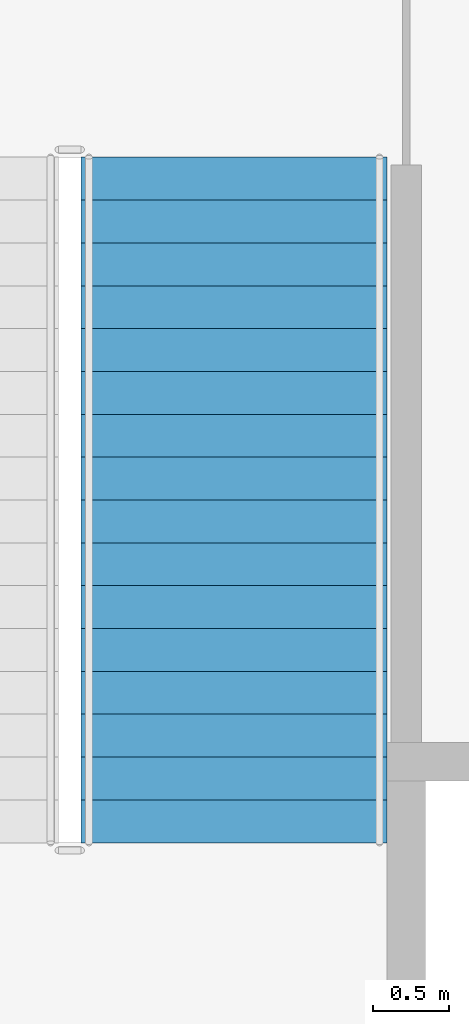
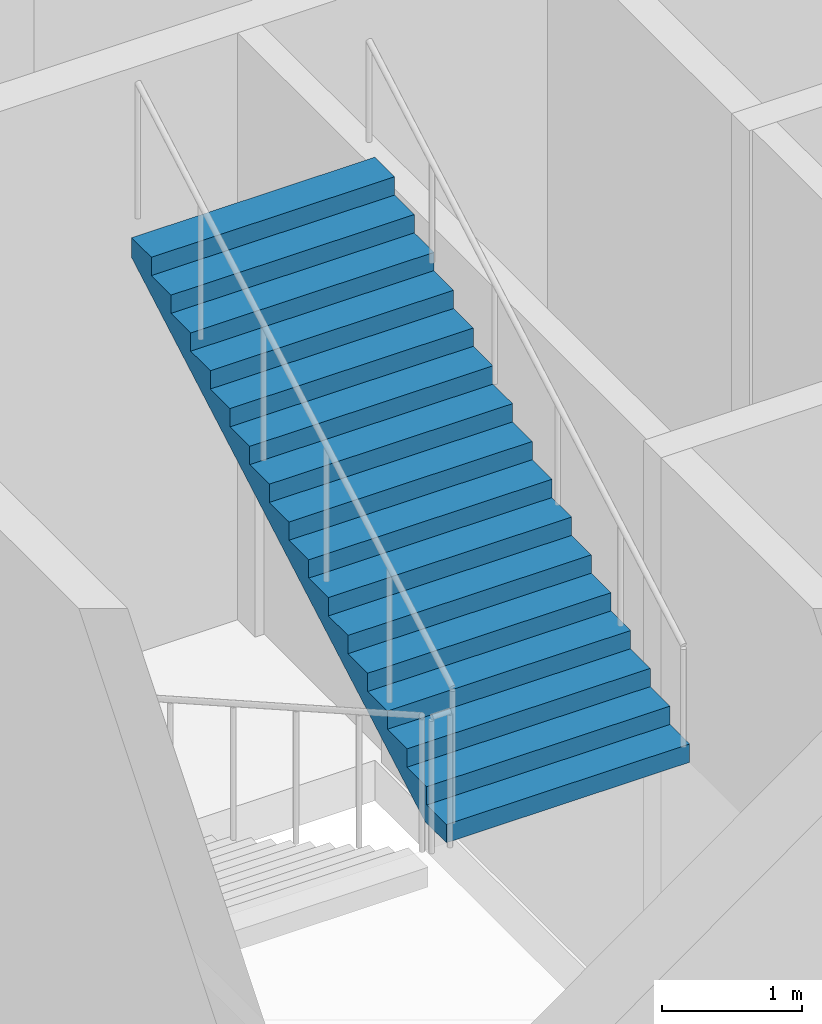
# One storey, part 15 of 18: 1 stair flight, 1 element without a shape of its own.
"""IFC4 building model written with IfcOpenShell, lengths in metres."""

from ifc_helpers import new_model, si_unit, direction, frame, origin, place, context, subcontext, project, spatial, polygons, material, type_object, element, aggregate, save


model = new_model("IFC4")

# Units and contexts
model_context = context("Model", 3, precision=1e-05, world=origin(), true_north=direction((0.0, 1.0)))
body_context = subcontext(model_context, "Body", "Model", "MODEL_VIEW")
ifc_project = project(units=[si_unit("LENGTHUNIT", "METRE"), si_unit("AREAUNIT", "SQUARE_METRE"), si_unit("VOLUMEUNIT", "CUBIC_METRE"), si_unit("PLANEANGLEUNIT", "RADIAN"), si_unit("MASSUNIT", "GRAM", prefix="KILO")], contexts=[model_context])

# Site, building, storey
site_placement = place(None, origin())
site = spatial("IfcSite", under=ifc_project, at=site_placement, CompositionType="ELEMENT")
building_placement = place(site_placement, origin())
building = spatial("IfcBuilding", under=site, at=building_placement, Name="Caravel Reach Hotel and Residences", CompositionType="ELEMENT")
storey_placement = place(building_placement, frame((0.0, 0.0, 145.199951171875)))
storey = spatial("IfcBuildingStorey", under=building, at=storey_placement, Name="L36", CompositionType="ELEMENT", Elevation=145.199951171875)

# Stair, stair flight
ifc_material_1 = material(Name="Concrete C40", Category="concrete")
stair_type = type_object("IfcStairType", Name="Core stair", PredefinedType="HALF_TURN_STAIR", material=ifc_material_1)
stair_placement = place(storey_placement, origin())
stair = element("IfcStair", 1, at=stair_placement, inside=storey, type_object=stair_type, Name="L36 Exit stair A", PredefinedType="HALF_TURN_STAIR")
ifc_material_2 = material(Name="Concrete C40", Category="concrete")
stair_flight_type = type_object("IfcStairFlightType", Name="Core stair flight", PredefinedType="STRAIGHT", material=ifc_material_2)
stair_flight_placement = place(storey_placement, frame((21.375, 24.8701171875, 2.699951171875), z_axis=(0.0, 0.0, 1.0), x_axis=(0.0, 1.0, 0.0)))
stair_flight = element("IfcStairFlight", 2, at=stair_flight_placement, type_object=stair_flight_type, Name="ST-A flight 2", NumberOfRisers=17, NumberOfTreads=16, PredefinedType="STRAIGHT", RiserHeight=0.158823529, TreadLength=0.28, context=body_context, shape_type="Tessellation", body=[
    polygons([(0.30382651472380307, 1.0, 0.0), (0.30382651472380307, 0.6666666666666667, 0.0), (0.30382651472380307, 0.33333333333333337, 0.0), (0.30382651472380307, 0.0, 0.0), (0.30382651472380307, -0.33333333333333326, 0.0), (0.30382651472380307, -0.6666666666666667, 0.0), (0.30382651472380307, -1.0, 0.0), (4.481000000000001, 1.0, 2.3688378951706968), (4.481000000000001, 0.6666666666666667, 2.3688378951706968), (4.481000000000001, 0.33333333333333337, 2.3688378951706968), (4.481000000000001, 0.0, 2.3688378951706968), (4.481000000000001, -0.33333333333333326, 2.3688378951706968), (4.481000000000001, -0.6666666666666667, 2.3688378951706968), (4.481000000000001, -1.0, 2.3688378951706968), (4.481000000000001, 1.0, 2.541176464), (4.481000000000001, 0.6666666666666667, 2.541176464), (4.481000000000001, 0.33333333333333337, 2.541176464), (4.481000000000001, 0.0, 2.541176464), (4.481000000000001, -0.33333333333333326, 2.541176464), (4.481000000000001, -0.6666666666666667, 2.541176464), (4.481000000000001, -1.0, 2.541176464), (4.2, 1.0, 2.541176464), (4.2, 0.6666666666666667, 2.541176464), (4.2, 0.33333333333333337, 2.541176464), (4.2, 0.0, 2.541176464), (4.2, -0.33333333333333326, 2.541176464), (4.2, -0.6666666666666667, 2.541176464), (4.2, -1.0, 2.541176464), (4.2, 1.0, 2.3823529349999997), (4.2, 0.6666666666666667, 2.3823529349999997), (4.2, 0.33333333333333337, 2.3823529349999997), (4.2, 0.0, 2.3823529349999997), (4.2, -0.33333333333333326, 2.3823529349999997), (4.2, -0.6666666666666667, 2.3823529349999997), (4.2, -1.0, 2.3823529349999997), (3.9200000000000004, 1.0, 2.3823529349999997), (3.9200000000000004, 0.6666666666666667, 2.3823529349999997), (3.9200000000000004, 0.33333333333333337, 2.3823529349999997), (3.9200000000000004, 0.0, 2.3823529349999997), (3.9200000000000004, -0.33333333333333326, 2.3823529349999997), (3.9200000000000004, -0.6666666666666667, 2.3823529349999997), (3.9200000000000004, -1.0, 2.3823529349999997), (3.9200000000000004, 1.0, 2.223529406), (3.9200000000000004, 0.6666666666666667, 2.223529406), (3.9200000000000004, 0.33333333333333337, 2.223529406), (3.9200000000000004, 0.0, 2.223529406), (3.9200000000000004, -0.33333333333333326, 2.223529406), (3.9200000000000004, -0.6666666666666667, 2.223529406), (3.9200000000000004, -1.0, 2.223529406), (3.6400000000000006, 1.0, 2.223529406), (3.6400000000000006, 0.6666666666666667, 2.223529406), (3.6400000000000006, 0.33333333333333337, 2.223529406), (3.6400000000000006, 0.0, 2.223529406), (3.6400000000000006, -0.33333333333333326, 2.223529406), (3.6400000000000006, -0.6666666666666667, 2.223529406), (3.6400000000000006, -1.0, 2.223529406), (3.6400000000000006, 1.0, 2.0647058769999997), (3.6400000000000006, 0.6666666666666667, 2.0647058769999997), (3.6400000000000006, 0.33333333333333337, 2.0647058769999997), (3.6400000000000006, 0.0, 2.0647058769999997), (3.6400000000000006, -0.33333333333333326, 2.0647058769999997), (3.6400000000000006, -0.6666666666666667, 2.0647058769999997), (3.6400000000000006, -1.0, 2.0647058769999997), (3.3600000000000003, 1.0, 2.0647058769999997), (3.3600000000000003, 0.6666666666666667, 2.0647058769999997), (3.3600000000000003, 0.33333333333333337, 2.0647058769999997), (3.3600000000000003, 0.0, 2.0647058769999997), (3.3600000000000003, -0.33333333333333326, 2.0647058769999997), (3.3600000000000003, -0.6666666666666667, 2.0647058769999997), (3.3600000000000003, -1.0, 2.0647058769999997), (3.3600000000000003, 1.0, 1.905882348), (3.3600000000000003, 0.6666666666666667, 1.905882348), (3.3600000000000003, 0.33333333333333337, 1.905882348), (3.3600000000000003, 0.0, 1.905882348), (3.3600000000000003, -0.33333333333333326, 1.905882348), (3.3600000000000003, -0.6666666666666667, 1.905882348), (3.3600000000000003, -1.0, 1.905882348), (3.08, 1.0, 1.905882348), (3.08, 0.6666666666666667, 1.905882348), (3.08, 0.33333333333333337, 1.905882348), (3.08, 0.0, 1.905882348), (3.08, -0.33333333333333326, 1.905882348), (3.08, -0.6666666666666667, 1.905882348), (3.08, -1.0, 1.905882348), (3.08, 1.0, 1.7470588189999998), (3.08, 0.6666666666666667, 1.7470588189999998), (3.08, 0.33333333333333337, 1.7470588189999998), (3.08, 0.0, 1.7470588189999998), (3.08, -0.33333333333333326, 1.7470588189999998), (3.08, -0.6666666666666667, 1.7470588189999998), (3.08, -1.0, 1.7470588189999998), (2.8000000000000003, 1.0, 1.7470588189999998), (2.8000000000000003, 0.6666666666666667, 1.7470588189999998), (2.8000000000000003, 0.33333333333333337, 1.7470588189999998), (2.8000000000000003, 0.0, 1.7470588189999998), (2.8000000000000003, -0.33333333333333326, 1.7470588189999998), (2.8000000000000003, -0.6666666666666667, 1.7470588189999998), (2.8000000000000003, -1.0, 1.7470588189999998), (2.8000000000000003, 1.0, 1.5882352899999999), (2.8000000000000003, 0.6666666666666667, 1.5882352899999999), (2.8000000000000003, 0.33333333333333337, 1.5882352899999999), (2.8000000000000003, 0.0, 1.5882352899999999), (2.8000000000000003, -0.33333333333333326, 1.5882352899999999), (2.8000000000000003, -0.6666666666666667, 1.5882352899999999), (2.8000000000000003, -1.0, 1.5882352899999999), (2.5200000000000005, 1.0, 1.5882352899999999), (2.5200000000000005, 0.6666666666666667, 1.5882352899999999), (2.5200000000000005, 0.33333333333333337, 1.5882352899999999), (2.5200000000000005, 0.0, 1.5882352899999999), (2.5200000000000005, -0.33333333333333326, 1.5882352899999999), (2.5200000000000005, -0.6666666666666667, 1.5882352899999999), (2.5200000000000005, -1.0, 1.5882352899999999), (2.5200000000000005, 1.0, 1.429411761), (2.5200000000000005, 0.6666666666666667, 1.429411761), (2.5200000000000005, 0.33333333333333337, 1.429411761), (2.5200000000000005, 0.0, 1.429411761), (2.5200000000000005, -0.33333333333333326, 1.429411761), (2.5200000000000005, -0.6666666666666667, 1.429411761), (2.5200000000000005, -1.0, 1.429411761), (2.24, 1.0, 1.429411761), (2.24, 0.6666666666666667, 1.429411761), (2.24, 0.33333333333333337, 1.429411761), (2.24, 0.0, 1.429411761), (2.24, -0.33333333333333326, 1.429411761), (2.24, -0.6666666666666667, 1.429411761), (2.24, -1.0, 1.429411761), (2.24, 1.0, 1.270588232), (2.24, 0.6666666666666667, 1.270588232), (2.24, 0.33333333333333337, 1.270588232), (2.24, 0.0, 1.270588232), (2.24, -0.33333333333333326, 1.270588232), (2.24, -0.6666666666666667, 1.270588232), (2.24, -1.0, 1.270588232), (1.9600000000000002, 1.0, 1.270588232), (1.9600000000000002, 0.6666666666666667, 1.270588232), (1.9600000000000002, 0.33333333333333337, 1.270588232), (1.9600000000000002, 0.0, 1.270588232), (1.9600000000000002, -0.33333333333333326, 1.270588232), (1.9600000000000002, -0.6666666666666667, 1.270588232), (1.9600000000000002, -1.0, 1.270588232), (1.9600000000000002, 1.0, 1.111764703), (1.9600000000000002, 0.6666666666666667, 1.111764703), (1.9600000000000002, 0.33333333333333337, 1.111764703), (1.9600000000000002, 0.0, 1.111764703), (1.9600000000000002, -0.33333333333333326, 1.111764703), (1.9600000000000002, -0.6666666666666667, 1.111764703), (1.9600000000000002, -1.0, 1.111764703), (1.6800000000000002, 1.0, 1.111764703), (1.6800000000000002, 0.6666666666666667, 1.111764703), (1.6800000000000002, 0.33333333333333337, 1.111764703), (1.6800000000000002, 0.0, 1.111764703), (1.6800000000000002, -0.33333333333333326, 1.111764703), (1.6800000000000002, -0.6666666666666667, 1.111764703), (1.6800000000000002, -1.0, 1.111764703), (1.6800000000000002, 1.0, 0.952941174), (1.6800000000000002, 0.6666666666666667, 0.952941174), (1.6800000000000002, 0.33333333333333337, 0.952941174), (1.6800000000000002, 0.0, 0.952941174), (1.6800000000000002, -0.33333333333333326, 0.952941174), (1.6800000000000002, -0.6666666666666667, 0.952941174), (1.6800000000000002, -1.0, 0.952941174), (1.4000000000000001, 1.0, 0.952941174), (1.4000000000000001, 0.6666666666666667, 0.952941174), (1.4000000000000001, 0.33333333333333337, 0.952941174), (1.4000000000000001, 0.0, 0.952941174), (1.4000000000000001, -0.33333333333333326, 0.952941174), (1.4000000000000001, -0.6666666666666667, 0.952941174), (1.4000000000000001, -1.0, 0.952941174), (1.4000000000000001, 1.0, 0.7941176449999999), (1.4000000000000001, 0.6666666666666667, 0.7941176449999999), (1.4000000000000001, 0.33333333333333337, 0.7941176449999999), (1.4000000000000001, 0.0, 0.7941176449999999), (1.4000000000000001, -0.33333333333333326, 0.7941176449999999), (1.4000000000000001, -0.6666666666666667, 0.7941176449999999), (1.4000000000000001, -1.0, 0.7941176449999999), (1.12, 1.0, 0.7941176449999999), (1.12, 0.6666666666666667, 0.7941176449999999), (1.12, 0.33333333333333337, 0.7941176449999999), (1.12, 0.0, 0.7941176449999999), (1.12, -0.33333333333333326, 0.7941176449999999), (1.12, -0.6666666666666667, 0.7941176449999999), (1.12, -1.0, 0.7941176449999999), (1.12, 1.0, 0.635294116), (1.12, 0.6666666666666667, 0.635294116), (1.12, 0.33333333333333337, 0.635294116), (1.12, 0.0, 0.635294116), (1.12, -0.33333333333333326, 0.635294116), (1.12, -0.6666666666666667, 0.635294116), (1.12, -1.0, 0.635294116), (0.8400000000000001, 1.0, 0.635294116), (0.8400000000000001, 0.6666666666666667, 0.635294116), (0.8400000000000001, 0.33333333333333337, 0.635294116), (0.8400000000000001, 0.0, 0.635294116), (0.8400000000000001, -0.33333333333333326, 0.635294116), (0.8400000000000001, -0.6666666666666667, 0.635294116), (0.8400000000000001, -1.0, 0.635294116), (0.8400000000000001, 1.0, 0.476470587), (0.8400000000000001, 0.6666666666666667, 0.476470587), (0.8400000000000001, 0.33333333333333337, 0.476470587), (0.8400000000000001, 0.0, 0.476470587), (0.8400000000000001, -0.33333333333333326, 0.476470587), (0.8400000000000001, -0.6666666666666667, 0.476470587), (0.8400000000000001, -1.0, 0.476470587), (0.56, 1.0, 0.476470587), (0.56, 0.6666666666666667, 0.476470587), (0.56, 0.33333333333333337, 0.476470587), (0.56, 0.0, 0.476470587), (0.56, -0.33333333333333326, 0.476470587), (0.56, -0.6666666666666667, 0.476470587), (0.56, -1.0, 0.476470587), (0.56, 1.0, 0.317647058), (0.56, 0.6666666666666667, 0.317647058), (0.56, 0.33333333333333337, 0.317647058), (0.56, 0.0, 0.317647058), (0.56, -0.33333333333333326, 0.317647058), (0.56, -0.6666666666666667, 0.317647058), (0.56, -1.0, 0.317647058), (0.28, 1.0, 0.317647058), (0.28, 0.6666666666666667, 0.317647058), (0.28, 0.33333333333333337, 0.317647058), (0.28, 0.0, 0.317647058), (0.28, -0.33333333333333326, 0.317647058), (0.28, -0.6666666666666667, 0.317647058), (0.28, -1.0, 0.317647058), (0.28, 1.0, 0.158823529), (0.28, 0.6666666666666667, 0.158823529), (0.28, 0.33333333333333337, 0.158823529), (0.28, 0.0, 0.158823529), (0.28, -0.33333333333333326, 0.158823529), (0.28, -0.6666666666666667, 0.158823529), (0.28, -1.0, 0.158823529), (-0.001, 1.0, 0.158823529), (-0.001, 0.6666666666666667, 0.158823529), (-0.001, 0.33333333333333337, 0.158823529), (-0.001, 0.0, 0.158823529), (-0.001, -0.33333333333333326, 0.158823529), (-0.001, -0.6666666666666667, 0.158823529), (-0.001, -1.0, 0.158823529), (-0.001, 1.0, 0.0), (-0.001, 0.6666666666666667, 0.0), (-0.001, 0.33333333333333337, 0.0), (-0.001, 0.0, 0.0), (-0.001, -0.33333333333333326, 0.0), (-0.001, -0.6666666666666667, 0.0), (-0.001, -1.0, 0.0)], [[[239, 232, 225, 218, 211, 204, 197, 190, 183, 176, 169, 162, 155, 148, 141, 134, 127, 120, 113, 106, 99, 92, 85, 78, 71, 64, 57, 50, 43, 36, 29, 22, 15, 8, 1]], [[7, 14, 21, 28, 35, 42, 49, 56, 63, 70, 77, 84, 91, 98, 105, 112, 119, 126, 133, 140, 147, 154, 161, 168, 175, 182, 189, 196, 203, 210, 217, 224, 231, 238, 245]], [[1, 8, 9, 2]], [[2, 9, 10, 3]], [[3, 10, 11, 4]], [[4, 11, 12, 5]], [[5, 12, 13, 6]], [[6, 13, 14, 7]], [[8, 15, 16, 9]], [[9, 16, 17, 10]], [[10, 17, 18, 11]], [[11, 18, 19, 12]], [[12, 19, 20, 13]], [[13, 20, 21, 14]], [[15, 22, 23, 16]], [[16, 23, 24, 17]], [[17, 24, 25, 18]], [[18, 25, 26, 19]], [[19, 26, 27, 20]], [[20, 27, 28, 21]], [[22, 29, 30, 23]], [[23, 30, 31, 24]], [[24, 31, 32, 25]], [[25, 32, 33, 26]], [[26, 33, 34, 27]], [[27, 34, 35, 28]], [[29, 36, 37, 30]], [[30, 37, 38, 31]], [[31, 38, 39, 32]], [[32, 39, 40, 33]], [[33, 40, 41, 34]], [[34, 41, 42, 35]], [[36, 43, 44, 37]], [[37, 44, 45, 38]], [[38, 45, 46, 39]], [[39, 46, 47, 40]], [[40, 47, 48, 41]], [[41, 48, 49, 42]], [[43, 50, 51, 44]], [[44, 51, 52, 45]], [[45, 52, 53, 46]], [[46, 53, 54, 47]], [[47, 54, 55, 48]], [[48, 55, 56, 49]], [[50, 57, 58, 51]], [[51, 58, 59, 52]], [[52, 59, 60, 53]], [[53, 60, 61, 54]], [[54, 61, 62, 55]], [[55, 62, 63, 56]], [[57, 64, 65, 58]], [[58, 65, 66, 59]], [[59, 66, 67, 60]], [[60, 67, 68, 61]], [[61, 68, 69, 62]], [[62, 69, 70, 63]], [[64, 71, 72, 65]], [[65, 72, 73, 66]], [[66, 73, 74, 67]], [[67, 74, 75, 68]], [[68, 75, 76, 69]], [[69, 76, 77, 70]], [[71, 78, 79, 72]], [[72, 79, 80, 73]], [[73, 80, 81, 74]], [[74, 81, 82, 75]], [[75, 82, 83, 76]], [[76, 83, 84, 77]], [[78, 85, 86, 79]], [[79, 86, 87, 80]], [[80, 87, 88, 81]], [[81, 88, 89, 82]], [[82, 89, 90, 83]], [[83, 90, 91, 84]], [[85, 92, 93, 86]], [[86, 93, 94, 87]], [[87, 94, 95, 88]], [[88, 95, 96, 89]], [[89, 96, 97, 90]], [[90, 97, 98, 91]], [[92, 99, 100, 93]], [[93, 100, 101, 94]], [[94, 101, 102, 95]], [[95, 102, 103, 96]], [[96, 103, 104, 97]], [[97, 104, 105, 98]], [[99, 106, 107, 100]], [[100, 107, 108, 101]], [[101, 108, 109, 102]], [[102, 109, 110, 103]], [[103, 110, 111, 104]], [[104, 111, 112, 105]], [[106, 113, 114, 107]], [[107, 114, 115, 108]], [[108, 115, 116, 109]], [[109, 116, 117, 110]], [[110, 117, 118, 111]], [[111, 118, 119, 112]], [[113, 120, 121, 114]], [[114, 121, 122, 115]], [[115, 122, 123, 116]], [[116, 123, 124, 117]], [[117, 124, 125, 118]], [[118, 125, 126, 119]], [[120, 127, 128, 121]], [[121, 128, 129, 122]], [[122, 129, 130, 123]], [[123, 130, 131, 124]], [[124, 131, 132, 125]], [[125, 132, 133, 126]], [[127, 134, 135, 128]], [[128, 135, 136, 129]], [[129, 136, 137, 130]], [[130, 137, 138, 131]], [[131, 138, 139, 132]], [[132, 139, 140, 133]], [[134, 141, 142, 135]], [[135, 142, 143, 136]], [[136, 143, 144, 137]], [[137, 144, 145, 138]], [[138, 145, 146, 139]], [[139, 146, 147, 140]], [[141, 148, 149, 142]], [[142, 149, 150, 143]], [[143, 150, 151, 144]], [[144, 151, 152, 145]], [[145, 152, 153, 146]], [[146, 153, 154, 147]], [[148, 155, 156, 149]], [[149, 156, 157, 150]], [[150, 157, 158, 151]], [[151, 158, 159, 152]], [[152, 159, 160, 153]], [[153, 160, 161, 154]], [[155, 162, 163, 156]], [[156, 163, 164, 157]], [[157, 164, 165, 158]], [[158, 165, 166, 159]], [[159, 166, 167, 160]], [[160, 167, 168, 161]], [[162, 169, 170, 163]], [[163, 170, 171, 164]], [[164, 171, 172, 165]], [[165, 172, 173, 166]], [[166, 173, 174, 167]], [[167, 174, 175, 168]], [[169, 176, 177, 170]], [[170, 177, 178, 171]], [[171, 178, 179, 172]], [[172, 179, 180, 173]], [[173, 180, 181, 174]], [[174, 181, 182, 175]], [[176, 183, 184, 177]], [[177, 184, 185, 178]], [[178, 185, 186, 179]], [[179, 186, 187, 180]], [[180, 187, 188, 181]], [[181, 188, 189, 182]], [[183, 190, 191, 184]], [[184, 191, 192, 185]], [[185, 192, 193, 186]], [[186, 193, 194, 187]], [[187, 194, 195, 188]], [[188, 195, 196, 189]], [[190, 197, 198, 191]], [[191, 198, 199, 192]], [[192, 199, 200, 193]], [[193, 200, 201, 194]], [[194, 201, 202, 195]], [[195, 202, 203, 196]], [[197, 204, 205, 198]], [[198, 205, 206, 199]], [[199, 206, 207, 200]], [[200, 207, 208, 201]], [[201, 208, 209, 202]], [[202, 209, 210, 203]], [[204, 211, 212, 205]], [[205, 212, 213, 206]], [[206, 213, 214, 207]], [[207, 214, 215, 208]], [[208, 215, 216, 209]], [[209, 216, 217, 210]], [[211, 218, 219, 212]], [[212, 219, 220, 213]], [[213, 220, 221, 214]], [[214, 221, 222, 215]], [[215, 222, 223, 216]], [[216, 223, 224, 217]], [[218, 225, 226, 219]], [[219, 226, 227, 220]], [[220, 227, 228, 221]], [[221, 228, 229, 222]], [[222, 229, 230, 223]], [[223, 230, 231, 224]], [[225, 232, 233, 226]], [[226, 233, 234, 227]], [[227, 234, 235, 228]], [[228, 235, 236, 229]], [[229, 236, 237, 230]], [[230, 237, 238, 231]], [[232, 239, 240, 233]], [[233, 240, 241, 234]], [[234, 241, 242, 235]], [[235, 242, 243, 236]], [[236, 243, 244, 237]], [[237, 244, 245, 238]], [[239, 1, 2, 240]], [[240, 2, 3, 241]], [[241, 3, 4, 242]], [[242, 4, 5, 243]], [[243, 5, 6, 244]], [[244, 6, 7, 245]]], closed=True),
])
aggregate(stair, [stair_flight])

save(model, "model.ifc")
